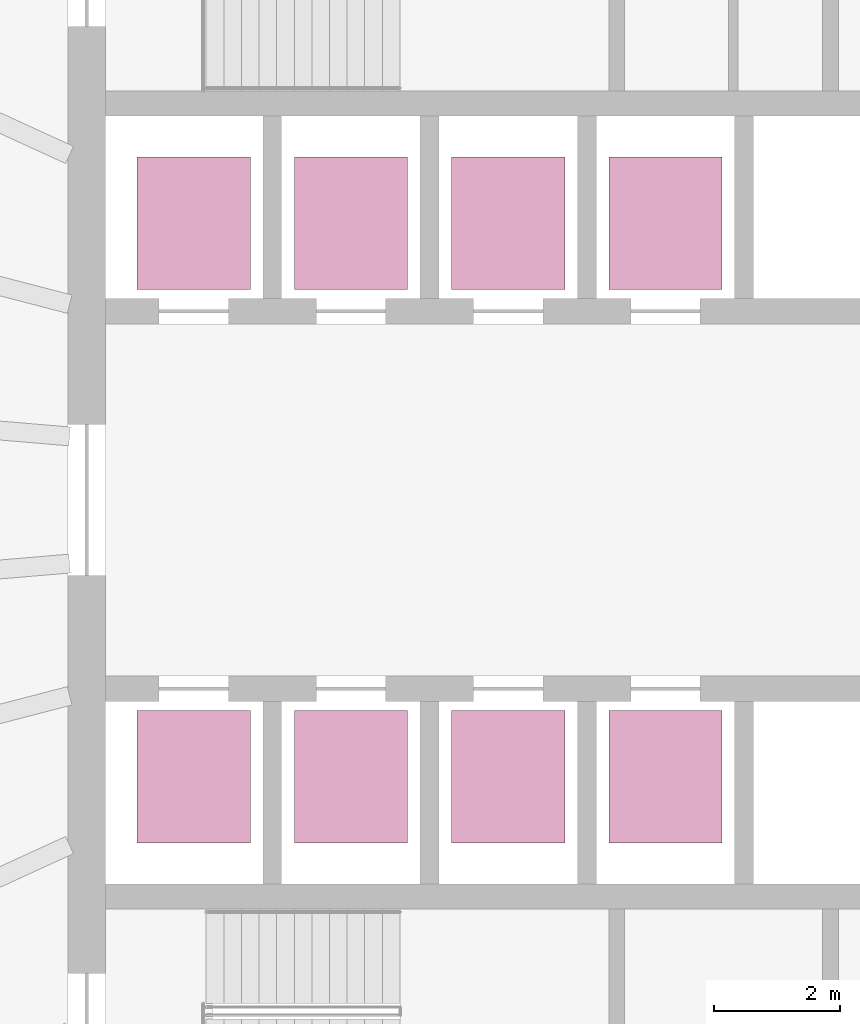
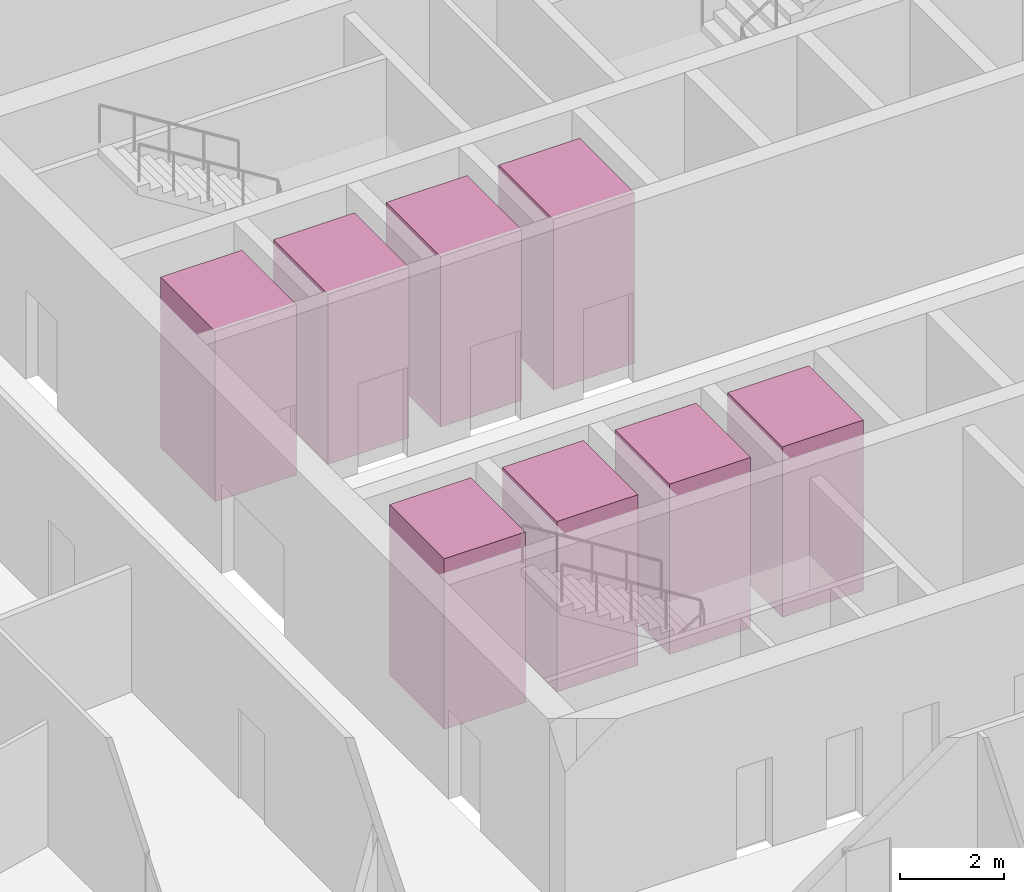
# One storey, part 11 of 11: 8 transport elements.
"""IFC4 building model written with IfcOpenShell, lengths in metres."""

import ifcopenshell
import ifcopenshell.guid

model = None  # the IFC model being written
_history = None  # IfcOwnerHistory: only IFC2X3 demands one
_inside = {}  # id of a spatial element -> (the spatial element, [elements in it])
_under = {}  # id of a project, library or spatial element -> (it, [spatial elements below it])
_declared = {}  # id of a project -> (the project, [libraries it declares])
_typed = {}  # id of a type object -> (the type object, [elements of that type])
_made_of = {}  # id of a material, layer set ... -> (it, [elements and type objects made of it])


def new_model(schema):
    """Start an empty IFC model of exactly this schema.

    Asked for "IFC4X3", IfcOpenShell would pick the latest addendum, in which some entities
    have other attributes; the version numbers below select the first issue.
    IFC2X3 requires an IfcOwnerHistory on every rooted entity: one is made here for all.
    """
    global model, _history
    if schema == "IFC4X3":
        model = ifcopenshell.file(schema_version=(4, 3, 0, 0))
    else:
        model = ifcopenshell.file(schema=schema)
    _inside.clear()
    _under.clear()
    _declared.clear()
    _typed.clear()
    _made_of.clear()
    _history = None
    if model.schema == "IFC2X3":
        org = make("IfcOrganization", Name="unknown")
        user = make(
            "IfcPersonAndOrganization",
            ThePerson=make("IfcPerson", FamilyName="unknown"),
            TheOrganization=org,
        )
        app = make(
            "IfcApplication",
            ApplicationDeveloper=org,
            Version="unknown",
            ApplicationFullName="unknown",
            ApplicationIdentifier="unknown",
        )
        _history = make(
            "IfcOwnerHistory",
            OwningUser=user,
            OwningApplication=app,
            ChangeAction="ADDED",
            CreationDate=0,
        )
    return model


def make(cls, **values):
    """One entity of the class cls with the attributes given. An attribute that is None is left unset."""
    return model.create_entity(
        cls, **{name: value for name, value in values.items() if value is not None}
    )


def rooted(cls, **values):
    """An entity with a GlobalId (a new one), such as an element, a storey or a relation."""
    return make(cls, GlobalId=ifcopenshell.guid.new(), OwnerHistory=_history, **values)


def si_unit(unit_type, name, prefix=None):
    """IfcSIUnit, for example si_unit("LENGTHUNIT", "METRE", prefix="MILLI")."""
    return make("IfcSIUnit", UnitType=unit_type, Prefix=prefix, Name=name)


def assignment(units):
    """IfcUnitAssignment: the units of a project."""
    return None if units is None else make("IfcUnitAssignment", Units=units)


def point(xyz):
    """IfcCartesianPoint."""
    return None if xyz is None else make("IfcCartesianPoint", Coordinates=xyz)


def direction(xyz):
    """IfcDirection."""
    return None if xyz is None else make("IfcDirection", DirectionRatios=xyz)


def frame(location, z_axis=None, x_axis=None):
    """IfcAxis2Placement3D, a coordinate frame: its origin and axes. An axis left out is left unset."""
    return make(
        "IfcAxis2Placement3D",
        Location=point(location),
        Axis=direction(z_axis),
        RefDirection=direction(x_axis),
    )


def frame_2d(location, x_axis=None):
    """IfcAxis2Placement2D, a coordinate frame in the plane: its origin and x axis."""
    return make(
        "IfcAxis2Placement2D", Location=point(location), RefDirection=direction(x_axis)
    )


def origin():
    """The frame at (0, 0, 0) with its axes left unset."""
    return frame((0.0, 0.0, 0.0))


def origin_2d():
    """The frame at (0, 0) in the plane with its x axis left unset."""
    return frame_2d((0.0, 0.0))


def place(relative_to, where):
    """IfcLocalPlacement: puts the frame where relative to a parent placement (None: the world)."""
    return make(
        "IfcLocalPlacement", PlacementRelTo=relative_to, RelativePlacement=where
    )


def context(
    kind, dimensions, precision=None, world=None, true_north=None, identifier=None
):
    """IfcGeometricRepresentationContext, for example the 3D "Model" context."""
    return make(
        "IfcGeometricRepresentationContext",
        ContextIdentifier=identifier,
        ContextType=kind,
        CoordinateSpaceDimension=dimensions,
        Precision=precision,
        WorldCoordinateSystem=world,
        TrueNorth=true_north,
    )


def subcontext(parent, identifier, kind, view, scale=None):
    """IfcGeometricRepresentationSubContext, for example "Body" below "Model"."""
    return make(
        "IfcGeometricRepresentationSubContext",
        ContextIdentifier=identifier,
        ContextType=kind,
        ParentContext=parent,
        TargetScale=scale,
        TargetView=view,
    )


def project(units=None, contexts=None):
    """IfcProject with its units and contexts."""
    return rooted(
        "IfcProject",
        Name="project",
        RepresentationContexts=contexts,
        UnitsInContext=assignment(units),
    )


def spatial(cls, under=None, at=None, **own):
    """A site, building, storey or space (cls), placed at a placement, below another one or the project."""
    s = rooted(cls, ObjectPlacement=at, **own)
    if under is not None:
        _under.setdefault(under.id(), (under, []))[1].append(s)
    return s


def profile(cls, at=None, kind="AREA", **sizes):
    """A parametric profile (cls). Its sizes go by their IFC names, for example OverallWidth=200.0."""
    return make(cls, ProfileType=kind, Position=at, **sizes)


def rectangle(**sizes):
    """IfcRectangleProfileDef."""
    return profile("IfcRectangleProfileDef", **sizes)


def extrude(swept, where, along, depth):
    """IfcExtrudedAreaSolid: the profile swept, set in the frame where, extruded along a direction by depth."""
    return make(
        "IfcExtrudedAreaSolid",
        SweptArea=swept,
        Position=where,
        ExtrudedDirection=direction(along),
        Depth=depth,
    )


def shape(context_of_items, identifier, shape_type, items):
    """IfcShapeRepresentation: the items that make up one representation, for example the "Body"."""
    return make(
        "IfcShapeRepresentation",
        ContextOfItems=context_of_items,
        RepresentationIdentifier=identifier,
        RepresentationType=shape_type,
        Items=items,
    )


def material(Name=None, Category=None):
    """IfcMaterial."""
    return make("IfcMaterial", Name=Name, Category=Category)


def made_of(thing, what):
    """Note that an element or type object is made of a material, layer set ...; save() writes the relation."""
    if what is not None:
        _made_of.setdefault(what.id(), (what, []))[1].append(thing)
    return thing


def type_object(cls, material=None, **own):
    """A type object (cls), such as IfcWallType, which elements share."""
    return made_of(rooted(cls, **own), material)


def element(
    cls,
    number,
    at=None,
    inside=None,
    cuts=None,
    type_object=None,
    material=None,
    context=None,
    identifier="Body",
    shape_type=None,
    held_by="IfcProductDefinitionShape",
    body=None,
    shapes=None,
    **own,
):
    """One element of the class cls, such as IfcWall. Its Tag is "e" and its number.

    at: its placement. inside: the storey or other place that contains it. cuts: it is an
    opening in that element (IfcRelVoidsElement). A single representation is given by context,
    identifier, shape_type and body (its items); several are given by shapes. held_by: the class
    of the entity that holds the representations. save() writes the other relations.
    """
    e = rooted(cls, Tag="e%d" % number, ObjectPlacement=at, **own)
    if body is not None:
        shapes = [shape(context, identifier, shape_type, body)]
    if shapes is not None:
        e.Representation = make(held_by, Representations=shapes)
    if inside is not None:
        _inside.setdefault(inside.id(), (inside, []))[1].append(e)
    if cuts is not None:
        rooted(
            "IfcRelVoidsElement", RelatingBuildingElement=cuts, RelatedOpeningElement=e
        )
    if type_object is not None:
        _typed.setdefault(type_object.id(), (type_object, []))[1].append(e)
    return made_of(e, material)


def aggregate(whole, parts):
    """IfcRelAggregates: a whole, such as a stair, and the parts it consists of."""
    return rooted("IfcRelAggregates", RelatingObject=whole, RelatedObjects=parts)


def save(model, path):
    """Write the relations noted so far, then the file.

    IfcRelAggregates (storeys below a building ...), IfcRelContainedInSpatialStructure (elements
    in a storey), IfcRelDefinesByType, IfcRelAssociatesMaterial and IfcRelDeclares: one each for
    every whole, place, type object, material and project.
    """
    for whole, parts in _under.values():
        aggregate(whole, parts)
    for where, things in _inside.values():
        rooted(
            "IfcRelContainedInSpatialStructure",
            RelatedElements=things,
            RelatingStructure=where,
        )
    for kind, things in _typed.values():
        rooted("IfcRelDefinesByType", RelatedObjects=things, RelatingType=kind)
    for what, things in _made_of.values():
        rooted("IfcRelAssociatesMaterial", RelatedObjects=things, RelatingMaterial=what)
    for by, libraries in _declared.values():
        rooted("IfcRelDeclares", RelatingContext=by, RelatedDefinitions=libraries)
    model.write(path)


model = new_model("IFC4")

# Units and contexts
model_context = context("Model", 3, precision=1e-05, world=origin(), true_north=direction((0.0, 1.0)))
body_context = subcontext(model_context, "Body", "Model", "MODEL_VIEW")
ifc_project = project(units=[si_unit("LENGTHUNIT", "METRE"), si_unit("AREAUNIT", "SQUARE_METRE"), si_unit("VOLUMEUNIT", "CUBIC_METRE"), si_unit("PLANEANGLEUNIT", "RADIAN"), si_unit("MASSUNIT", "GRAM", prefix="KILO")], contexts=[model_context])

# Site, building, storey
site_placement = place(None, origin())
site = spatial("IfcSite", under=ifc_project, at=site_placement, CompositionType="ELEMENT")
building_placement = place(site_placement, origin())
building = spatial("IfcBuilding", under=site, at=building_placement, Name="Halqa Exchange Tower", CompositionType="ELEMENT")
storey_placement = place(building_placement, frame((0.0, 0.0, 150.699951171875)))
storey = spatial("IfcBuildingStorey", under=building, at=storey_placement, Name="L34", CompositionType="ELEMENT", Elevation=150.699951171875)

# Transport elements
ifc_material = material(Name="Stainless steel", Category="steel")
transport_element_type = type_object("IfcTransportElementType", Name="Low-rise passenger lift 1800 x 2100", PredefinedType="ELEVATOR", material=ifc_material)
for number, where, z_axis, x_axis, name in (
    (1, (-10.0, 4.39990234375, 0.0), (0.0, 0.0, 1.0), (1.0, 0.0, 0.0), "Low-rise passenger lift LR1"),
    (2, (-7.5, 4.39990234375, 0.0), (0.0, 0.0, 1.0), (1.0, 0.0, 0.0), "Low-rise passenger lift LR2"),
    (3, (-5.0, 4.39990234375, 0.0), (0.0, 0.0, 1.0), (1.0, 0.0, 0.0), "Low-rise passenger lift LR3"),
    (4, (-2.5, 4.39990234375, 0.0), (0.0, 0.0, 1.0), (1.0, 0.0, 0.0), "Low-rise passenger lift LR4"),
    (5, (-10.0, -4.39990234375, 0.0), (0.0, 0.0, 1.0), (1.0, 0.0, 0.0), "Low-rise passenger lift LR5"),
    (6, (-7.5, -4.39990234375, 0.0), (0.0, 0.0, 1.0), (1.0, 0.0, 0.0), "Low-rise passenger lift LR6"),
    (7, (-5.0, -4.39990234375, 0.0), (0.0, 0.0, 1.0), (1.0, 0.0, 0.0), "Low-rise passenger lift LR7"),
    (8, (-2.5, -4.39990234375, 0.0), (0.0, 0.0, 1.0), (1.0, 0.0, 0.0), "Low-rise passenger lift LR8"),
):
    element("IfcTransportElement", number, at=place(storey_placement, frame(where, z_axis=z_axis, x_axis=x_axis)), inside=storey, type_object=transport_element_type, Name=name, PredefinedType="ELEVATOR", context=body_context, shape_type="SweptSolid", body=[
        extrude(rectangle(XDim=1.800048828125, YDim=2.10009765625, at=origin_2d()), origin(), (0.0, 0.0, 1.0), 4.0),
    ])

save(model, "model.ifc")
